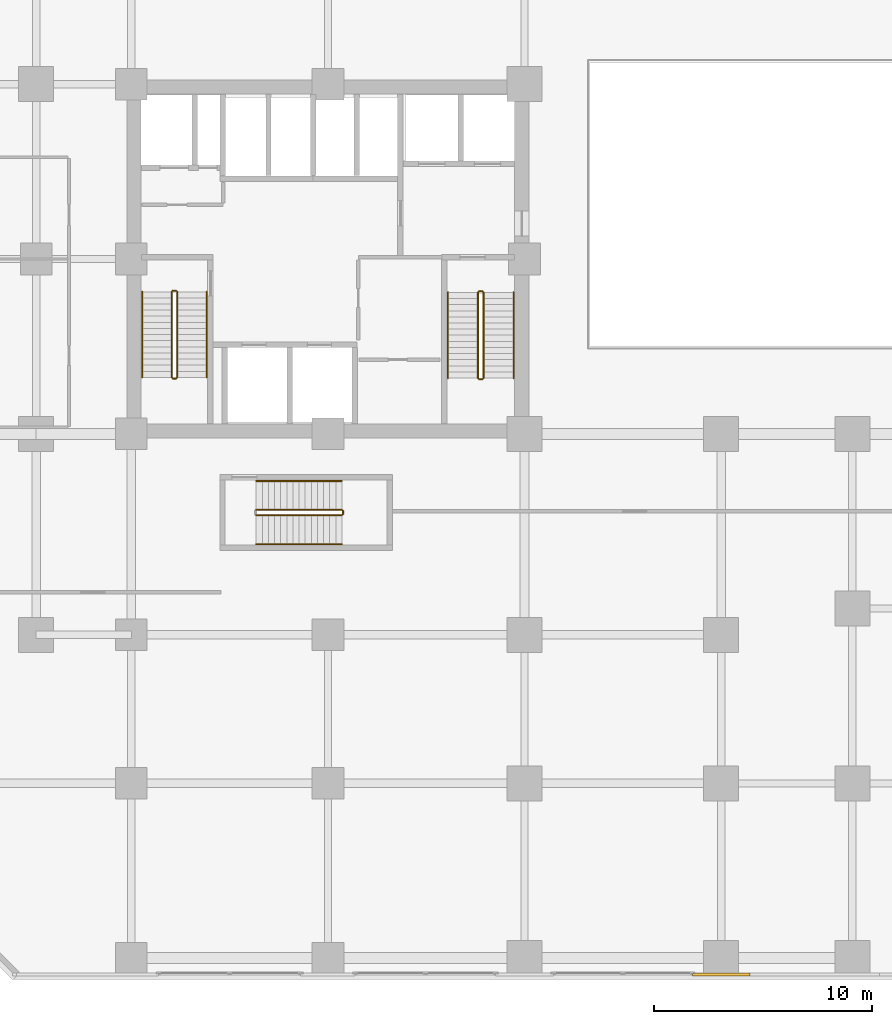
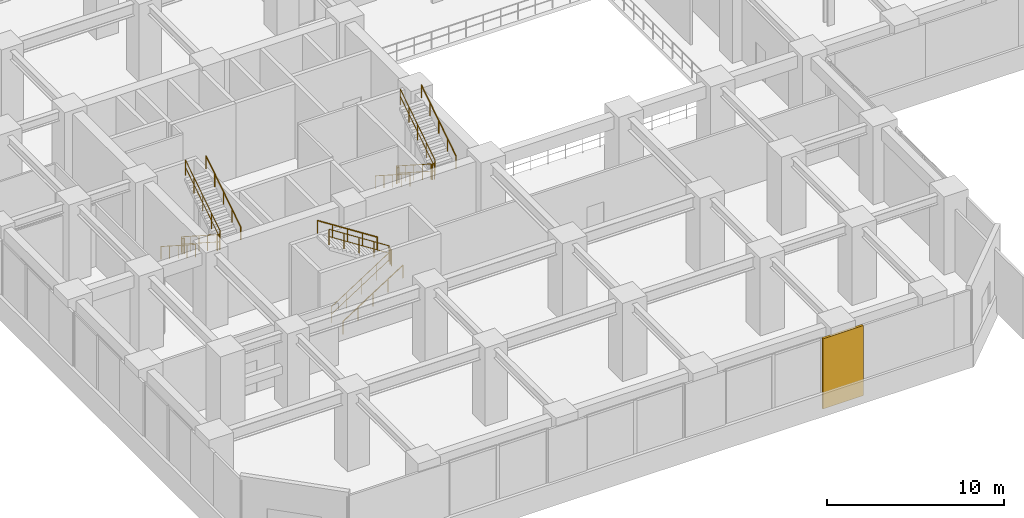
# One storey, part 30 of 33: 17 railings, 1 covering.
"""IFC4 building model written with IfcOpenShell, lengths in metres."""

from ifc_helpers import new_model, si_unit, direction, frame, origin, origin_2d, place, context, subcontext, project, spatial, rectangle, circle, extrude, source, transform, mapped, material, layer, layer_set, type_object, element, save


model = new_model("IFC4")

# Units and contexts
model_context = context("Model", 3, precision=1e-05, world=origin(), true_north=direction((0.0, 1.0)))
body_context = subcontext(model_context, "Body", "Model", "MODEL_VIEW")
ifc_project = project(units=[si_unit("LENGTHUNIT", "METRE"), si_unit("AREAUNIT", "SQUARE_METRE"), si_unit("VOLUMEUNIT", "CUBIC_METRE"), si_unit("PLANEANGLEUNIT", "RADIAN"), si_unit("MASSUNIT", "GRAM", prefix="KILO")], contexts=[model_context])

# Site, building, storey
site_placement = place(None, origin())
site = spatial("IfcSite", under=ifc_project, at=site_placement, CompositionType="ELEMENT")
building_placement = place(site_placement, origin())
building = spatial("IfcBuilding", under=site, at=building_placement, Name="Torre Montelarca", CompositionType="ELEMENT")
storey_placement = place(building_placement, frame((0.0, 0.0, 12.0)))
storey = spatial("IfcBuildingStorey", under=building, at=storey_placement, Name="L03", CompositionType="ELEMENT", Elevation=12.0)

# Railings
ifc_material_1 = material(Name="Powder-coated steel ASTM A500 Grade C", Category="steel")
railing_type_1 = type_object("IfcRailingType", Name="RL-GUARD-1100", PredefinedType="BALUSTRADE", material=ifc_material_1)
railing_1_placement = place(storey_placement, frame((10.85009765625, 30.5, 0.179931640625)))
element("IfcRailing", 1, at=railing_1_placement, inside=storey, type_object=railing_type_1, Name="L03 ST1 stair guard 1", PredefinedType="BALUSTRADE", context=body_context, shape_type="SweptSolid", body=[
    extrude(circle(Radius=0.02392578125, at=origin_2d()), frame((0.0, 0.0, 1.076171875), z_axis=(0.0, -0.841171666519, 0.540768182723), x_axis=(1.0, 0.0, 0.0)), (0.0, 0.0, 1.0), 4.66015625),
    extrude(circle(Radius=0.02099609375, at=origin_2d()), frame((0.0, 0.0, 0.572021484375), z_axis=(0.0, -0.841171666519, 0.540768182723), x_axis=(1.0, 0.0, 0.0)), (0.0, 0.0, 1.0), 4.66015625),
    extrude(circle(Radius=0.02099609375, at=origin_2d()), origin(), (0.0, 0.0, 1.0), 1.052001953125),
    extrude(circle(Radius=0.02099609375, at=origin_2d()), frame((0.0, -0.97998046875, 0.6298828125)), (0.0, 0.0, 1.0), 1.052001953125),
    extrude(circle(Radius=0.02099609375, at=origin_2d()), frame((0.0, -1.9599609375, 1.260009765625)), (0.0, 0.0, 1.0), 1.052001953125),
    extrude(circle(Radius=0.02099609375, at=origin_2d()), frame((0.0, -2.93994140625, 1.89013671875)), (0.0, 0.0, 1.0), 1.052001953125),
    extrude(circle(Radius=0.02099609375, at=origin_2d()), frame((0.0, -3.919921875, 2.52001953125)), (0.0, 0.0, 1.0), 1.052001953125),
])
railing_2_placement = place(storey_placement, frame((10.89990234375, 26.530029296875, 2.699951171875)))
element("IfcRailing", 2, at=railing_2_placement, inside=storey, type_object=railing_type_1, Name="L03 ST1 stair guard 2", PredefinedType="BALUSTRADE", context=body_context, shape_type="SweptSolid", body=[
    extrude(circle(Radius=0.02392578125, at=origin_2d()), frame((0.0, 0.0, 1.076171875), z_axis=(1.0, 0.0, 0.0), x_axis=(0.0, 1.0, 0.0)), (0.0, 0.0, 1.0), 0.150146484375),
    extrude(circle(Radius=0.02099609375, at=origin_2d()), frame((0.0, 0.0, 0.572021484375), z_axis=(1.0, 0.0, 0.0), x_axis=(0.0, 1.0, 0.0)), (0.0, 0.0, 1.0), 0.150146484375),
    extrude(circle(Radius=0.02099609375, at=origin_2d()), origin(), (0.0, 0.0, 1.0), 1.052001953125),
    extrude(circle(Radius=0.02099609375, at=origin_2d()), frame((0.150146484375, 0.0, 0.0)), (0.0, 0.0, 1.0), 1.052001953125),
])
railing_3_placement = place(storey_placement, frame((11.10009765625, 26.580078125, 2.8798828125)))
element("IfcRailing", 3, at=railing_3_placement, inside=storey, type_object=railing_type_1, Name="L03 ST1 stair guard 3", PredefinedType="BALUSTRADE", context=body_context, shape_type="SweptSolid", body=[
    extrude(circle(Radius=0.02392578125, at=origin_2d()), frame((0.0, 0.0, 1.076171875), z_axis=(0.0, 0.841171666519, 0.540768182723), x_axis=(-1.0, 0.0, 0.0)), (0.0, 0.0, 1.0), 4.66015625),
    extrude(circle(Radius=0.02099609375, at=origin_2d()), frame((0.0, 0.0, 0.572021484375), z_axis=(0.0, 0.841171666519, 0.540768182723), x_axis=(-1.0, 0.0, 0.0)), (0.0, 0.0, 1.0), 4.66015625),
    extrude(circle(Radius=0.02099609375, at=origin_2d()), origin(), (0.0, 0.0, 1.0), 1.052001953125),
    extrude(circle(Radius=0.02099609375, at=origin_2d()), frame((0.0, 0.97998046875, 0.6298828125)), (0.0, 0.0, 1.0), 1.052001953125),
    extrude(circle(Radius=0.02099609375, at=origin_2d()), frame((0.0, 1.9599609375, 1.260009765625)), (0.0, 0.0, 1.0), 1.052001953125),
    extrude(circle(Radius=0.02099609375, at=origin_2d()), frame((0.0, 2.93994140625, 1.89013671875)), (0.0, 0.0, 1.0), 1.052001953125),
    extrude(circle(Radius=0.02099609375, at=origin_2d()), frame((0.0, 3.919921875, 2.52001953125)), (0.0, 0.0, 1.0), 1.052001953125),
])
railing_4_placement = place(storey_placement, frame((10.89990234375, 30.550048828125, 0.0)))
element("IfcRailing", 4, at=railing_4_placement, inside=storey, type_object=railing_type_1, Name="L03 ST1 stair guard 4", PredefinedType="BALUSTRADE", context=body_context, shape_type="SweptSolid", body=[
    extrude(circle(Radius=0.02392578125, at=origin_2d()), frame((0.0, 0.0, 1.076171875), z_axis=(1.0, 0.0, 0.0), x_axis=(0.0, 1.0, 0.0)), (0.0, 0.0, 1.0), 0.150146484375),
    extrude(circle(Radius=0.02099609375, at=origin_2d()), frame((0.0, 0.0, 0.572021484375), z_axis=(1.0, 0.0, 0.0), x_axis=(0.0, 1.0, 0.0)), (0.0, 0.0, 1.0), 0.150146484375),
    extrude(circle(Radius=0.02099609375, at=origin_2d()), origin(), (0.0, 0.0, 1.0), 1.052001953125),
    extrude(circle(Radius=0.02099609375, at=origin_2d()), frame((0.150146484375, 0.0, 0.0)), (0.0, 0.0, 1.0), 1.052001953125),
])
railing_5_placement = place(storey_placement, frame((24.8701171875, 30.469970703125, 0.179931640625)))
element("IfcRailing", 5, at=railing_5_placement, inside=storey, type_object=railing_type_1, Name="L03 ST2 stair guard 1", PredefinedType="BALUSTRADE", context=body_context, shape_type="SweptSolid", body=[
    extrude(circle(Radius=0.02392578125, at=origin_2d()), frame((0.0, 0.0, 1.076171875), z_axis=(0.0, -0.841171666519, 0.540768182723), x_axis=(1.0, 0.0, 0.0)), (0.0, 0.0, 1.0), 4.66015625),
    extrude(circle(Radius=0.02099609375, at=origin_2d()), frame((0.0, 0.0, 0.572021484375), z_axis=(0.0, -0.841171666519, 0.540768182723), x_axis=(1.0, 0.0, 0.0)), (0.0, 0.0, 1.0), 4.66015625),
    extrude(circle(Radius=0.02099609375, at=origin_2d()), origin(), (0.0, 0.0, 1.0), 1.052001953125),
    extrude(circle(Radius=0.02099609375, at=origin_2d()), frame((0.0, -0.97998046875, 0.6298828125)), (0.0, 0.0, 1.0), 1.052001953125),
    extrude(circle(Radius=0.02099609375, at=origin_2d()), frame((0.0, -1.9599609375, 1.260009765625)), (0.0, 0.0, 1.0), 1.052001953125),
    extrude(circle(Radius=0.02099609375, at=origin_2d()), frame((0.0, -2.93994140625, 1.89013671875)), (0.0, 0.0, 1.0), 1.052001953125),
    extrude(circle(Radius=0.02099609375, at=origin_2d()), frame((0.0, -3.919921875, 2.52001953125)), (0.0, 0.0, 1.0), 1.052001953125),
])
railing_6_placement = place(storey_placement, frame((24.919921875, 26.5, 2.699951171875)))
element("IfcRailing", 6, at=railing_6_placement, inside=storey, type_object=railing_type_1, Name="L03 ST2 stair guard 2", PredefinedType="BALUSTRADE", context=body_context, shape_type="SweptSolid", body=[
    extrude(circle(Radius=0.02392578125, at=origin_2d()), frame((0.0, 0.0, 1.076171875), z_axis=(1.0, 0.0, 0.0), x_axis=(0.0, 1.0, 0.0)), (0.0, 0.0, 1.0), 0.150146484375),
    extrude(circle(Radius=0.02099609375, at=origin_2d()), frame((0.0, 0.0, 0.572021484375), z_axis=(1.0, 0.0, 0.0), x_axis=(0.0, 1.0, 0.0)), (0.0, 0.0, 1.0), 0.150146484375),
    extrude(circle(Radius=0.02099609375, at=origin_2d()), origin(), (0.0, 0.0, 1.0), 1.052001953125),
    extrude(circle(Radius=0.02099609375, at=origin_2d()), frame((0.150146484375, 0.0, 0.0)), (0.0, 0.0, 1.0), 1.052001953125),
])
railing_7_placement = place(storey_placement, frame((25.1201171875, 26.550048828125, 2.8798828125)))
element("IfcRailing", 7, at=railing_7_placement, inside=storey, type_object=railing_type_1, Name="L03 ST2 stair guard 3", PredefinedType="BALUSTRADE", context=body_context, shape_type="SweptSolid", body=[
    extrude(circle(Radius=0.02392578125, at=origin_2d()), frame((0.0, 0.0, 1.076171875), z_axis=(0.0, 0.841171666519, 0.540768182723), x_axis=(-1.0, 0.0, 0.0)), (0.0, 0.0, 1.0), 4.66015625),
    extrude(circle(Radius=0.02099609375, at=origin_2d()), frame((0.0, 0.0, 0.572021484375), z_axis=(0.0, 0.841171666519, 0.540768182723), x_axis=(-1.0, 0.0, 0.0)), (0.0, 0.0, 1.0), 4.66015625),
    extrude(circle(Radius=0.02099609375, at=origin_2d()), origin(), (0.0, 0.0, 1.0), 1.052001953125),
    extrude(circle(Radius=0.02099609375, at=origin_2d()), frame((0.0, 0.97998046875, 0.6298828125)), (0.0, 0.0, 1.0), 1.052001953125),
    extrude(circle(Radius=0.02099609375, at=origin_2d()), frame((0.0, 1.9599609375, 1.260009765625)), (0.0, 0.0, 1.0), 1.052001953125),
    extrude(circle(Radius=0.02099609375, at=origin_2d()), frame((0.0, 2.93994140625, 1.89013671875)), (0.0, 0.0, 1.0), 1.052001953125),
    extrude(circle(Radius=0.02099609375, at=origin_2d()), frame((0.0, 3.919921875, 2.52001953125)), (0.0, 0.0, 1.0), 1.052001953125),
])
railing_8_placement = place(storey_placement, frame((24.919921875, 30.52001953125, 0.0)))
element("IfcRailing", 8, at=railing_8_placement, inside=storey, type_object=railing_type_1, Name="L03 ST2 stair guard 4", PredefinedType="BALUSTRADE", context=body_context, shape_type="SweptSolid", body=[
    extrude(circle(Radius=0.02392578125, at=origin_2d()), frame((0.0, 0.0, 1.076171875), z_axis=(1.0, 0.0, 0.0), x_axis=(0.0, 1.0, 0.0)), (0.0, 0.0, 1.0), 0.150146484375),
    extrude(circle(Radius=0.02099609375, at=origin_2d()), frame((0.0, 0.0, 0.572021484375), z_axis=(1.0, 0.0, 0.0), x_axis=(0.0, 1.0, 0.0)), (0.0, 0.0, 1.0), 0.150146484375),
    extrude(circle(Radius=0.02099609375, at=origin_2d()), origin(), (0.0, 0.0, 1.0), 1.052001953125),
    extrude(circle(Radius=0.02099609375, at=origin_2d()), frame((0.150146484375, 0.0, 0.0)), (0.0, 0.0, 1.0), 1.052001953125),
])
railing_9_placement = place(storey_placement, frame((14.719970703125, 20.27001953125, 0.179931640625)))
element("IfcRailing", 9, at=railing_9_placement, inside=storey, type_object=railing_type_1, Name="L03 ST3 stair guard 1", PredefinedType="BALUSTRADE", context=body_context, shape_type="SweptSolid", body=[
    extrude(circle(Radius=0.02392578125, at=origin_2d()), frame((0.0, 0.0, 1.076171875), z_axis=(0.841171666519, 0.0, 0.540768182723), x_axis=(0.0, 1.0, 0.0)), (0.0, 0.0, 1.0), 4.66015625),
    extrude(circle(Radius=0.02099609375, at=origin_2d()), frame((0.0, 0.0, 0.572021484375), z_axis=(0.841171666519, 0.0, 0.540768182723), x_axis=(0.0, 1.0, 0.0)), (0.0, 0.0, 1.0), 4.66015625),
    extrude(circle(Radius=0.02099609375, at=origin_2d()), origin(), (0.0, 0.0, 1.0), 1.052001953125),
    extrude(circle(Radius=0.02099609375, at=origin_2d()), frame((0.97998046875, 0.0, 0.6298828125)), (0.0, 0.0, 1.0), 1.052001953125),
    extrude(circle(Radius=0.02099609375, at=origin_2d()), frame((1.9599609375, 0.0, 1.260009765625)), (0.0, 0.0, 1.0), 1.052001953125),
    extrude(circle(Radius=0.02099609375, at=origin_2d()), frame((2.93994140625, 0.0, 1.89013671875)), (0.0, 0.0, 1.0), 1.052001953125),
    extrude(circle(Radius=0.02099609375, at=origin_2d()), frame((3.919921875, 0.0, 2.52001953125)), (0.0, 0.0, 1.0), 1.052001953125),
])
railing_10_placement = place(storey_placement, frame((18.68994140625, 20.320068359375, 2.699951171875)))
element("IfcRailing", 10, at=railing_10_placement, inside=storey, type_object=railing_type_1, Name="L03 ST3 stair guard 2", PredefinedType="BALUSTRADE", context=body_context, shape_type="SweptSolid", body=[
    extrude(circle(Radius=0.02392578125, at=origin_2d()), frame((0.0, 0.0, 1.076171875), z_axis=(0.0, 1.0, 0.0), x_axis=(-1.0, 0.0, 0.0)), (0.0, 0.0, 1.0), 0.14990234375),
    extrude(circle(Radius=0.02099609375, at=origin_2d()), frame((0.0, 0.0, 0.572021484375), z_axis=(0.0, 1.0, 0.0), x_axis=(-1.0, 0.0, 0.0)), (0.0, 0.0, 1.0), 0.14990234375),
    extrude(circle(Radius=0.02099609375, at=origin_2d()), origin(), (0.0, 0.0, 1.0), 1.052001953125),
    extrude(circle(Radius=0.02099609375, at=origin_2d()), frame((0.0, 0.14990234375, 0.0)), (0.0, 0.0, 1.0), 1.052001953125),
])
railing_11_placement = place(storey_placement, frame((18.639892578125, 20.52001953125, 2.8798828125)))
element("IfcRailing", 11, at=railing_11_placement, inside=storey, type_object=railing_type_1, Name="L03 ST3 stair guard 3", PredefinedType="BALUSTRADE", context=body_context, shape_type="SweptSolid", body=[
    extrude(circle(Radius=0.02392578125, at=origin_2d()), frame((0.0, 0.0, 1.076171875), z_axis=(-0.841171666519, 0.0, 0.540768182723), x_axis=(0.0, -1.0, 0.0)), (0.0, 0.0, 1.0), 4.66015625),
    extrude(circle(Radius=0.02099609375, at=origin_2d()), frame((0.0, 0.0, 0.572021484375), z_axis=(-0.841171666519, 0.0, 0.540768182723), x_axis=(0.0, -1.0, 0.0)), (0.0, 0.0, 1.0), 4.66015625),
    extrude(circle(Radius=0.02099609375, at=origin_2d()), origin(), (0.0, 0.0, 1.0), 1.052001953125),
    extrude(circle(Radius=0.02099609375, at=origin_2d()), frame((-0.97998046875, 0.0, 0.6298828125)), (0.0, 0.0, 1.0), 1.052001953125),
    extrude(circle(Radius=0.02099609375, at=origin_2d()), frame((-1.9599609375, 0.0, 1.260009765625)), (0.0, 0.0, 1.0), 1.052001953125),
    extrude(circle(Radius=0.02099609375, at=origin_2d()), frame((-2.93994140625, 0.0, 1.89013671875)), (0.0, 0.0, 1.0), 1.052001953125),
    extrude(circle(Radius=0.02099609375, at=origin_2d()), frame((-3.919921875, 0.0, 2.52001953125)), (0.0, 0.0, 1.0), 1.052001953125),
])
ifc_material_2 = material(Name="Brushed stainless steel AISI 316", Category="steel")
railing_type_2 = type_object("IfcRailingType", Name="RL-HANDRAIL-900", PredefinedType="HANDRAIL", material=ifc_material_2)
railing_12_placement = place(storey_placement, frame((9.5, 30.5, 0.179931640625)))
element("IfcRailing", 12, at=railing_12_placement, inside=storey, type_object=railing_type_2, Name="L03 ST1 stair handrail 1", PredefinedType="HANDRAIL", context=body_context, shape_type="SweptSolid", body=[
    extrude(circle(Radius=0.02392578125, at=origin_2d()), frame((0.0, 0.0, 0.8759765625), z_axis=(0.0, -0.841171666519, 0.540768182723), x_axis=(1.0, 0.0, 0.0)), (0.0, 0.0, 1.0), 4.66015625),
    extrude(circle(Radius=0.02099609375, at=origin_2d()), origin(), (0.0, 0.0, 1.0), 0.851806640625),
    extrude(circle(Radius=0.02099609375, at=origin_2d()), frame((0.0, -0.97998046875, 0.6298828125)), (0.0, 0.0, 1.0), 0.851806640625),
    extrude(circle(Radius=0.02099609375, at=origin_2d()), frame((0.0, -1.9599609375, 1.260009765625)), (0.0, 0.0, 1.0), 0.851806640625),
    extrude(circle(Radius=0.02099609375, at=origin_2d()), frame((0.0, -2.93994140625, 1.89013671875)), (0.0, 0.0, 1.0), 0.851806640625),
    extrude(circle(Radius=0.02099609375, at=origin_2d()), frame((0.0, -3.919921875, 2.52001953125)), (0.0, 0.0, 1.0), 0.851806640625),
])
railing_13_placement = place(storey_placement, frame((12.449951171875, 26.580078125, 2.8798828125)))
element("IfcRailing", 13, at=railing_13_placement, inside=storey, type_object=railing_type_2, Name="L03 ST1 stair handrail 2", PredefinedType="HANDRAIL", context=body_context, shape_type="SweptSolid", body=[
    extrude(circle(Radius=0.02392578125, at=origin_2d()), frame((0.0, 0.0, 0.8759765625), z_axis=(0.0, 0.841171666519, 0.540768182723), x_axis=(-1.0, 0.0, 0.0)), (0.0, 0.0, 1.0), 4.66015625),
    extrude(circle(Radius=0.02099609375, at=origin_2d()), origin(), (0.0, 0.0, 1.0), 0.851806640625),
    extrude(circle(Radius=0.02099609375, at=origin_2d()), frame((0.0, 0.97998046875, 0.6298828125)), (0.0, 0.0, 1.0), 0.851806640625),
    extrude(circle(Radius=0.02099609375, at=origin_2d()), frame((0.0, 1.9599609375, 1.260009765625)), (0.0, 0.0, 1.0), 0.851806640625),
    extrude(circle(Radius=0.02099609375, at=origin_2d()), frame((0.0, 2.93994140625, 1.89013671875)), (0.0, 0.0, 1.0), 0.851806640625),
    extrude(circle(Radius=0.02099609375, at=origin_2d()), frame((0.0, 3.919921875, 2.52001953125)), (0.0, 0.0, 1.0), 0.851806640625),
])
railing_14_placement = place(storey_placement, frame((23.489990234375, 30.469970703125, 0.179931640625)))
element("IfcRailing", 14, at=railing_14_placement, inside=storey, type_object=railing_type_2, Name="L03 ST2 stair handrail 1", PredefinedType="HANDRAIL", context=body_context, shape_type="SweptSolid", body=[
    extrude(circle(Radius=0.02392578125, at=origin_2d()), frame((0.0, 0.0, 0.8759765625), z_axis=(0.0, -0.841171666519, 0.540768182723), x_axis=(1.0, 0.0, 0.0)), (0.0, 0.0, 1.0), 4.66015625),
    extrude(circle(Radius=0.02099609375, at=origin_2d()), origin(), (0.0, 0.0, 1.0), 0.851806640625),
    extrude(circle(Radius=0.02099609375, at=origin_2d()), frame((0.0, -0.97998046875, 0.6298828125)), (0.0, 0.0, 1.0), 0.851806640625),
    extrude(circle(Radius=0.02099609375, at=origin_2d()), frame((0.0, -1.9599609375, 1.260009765625)), (0.0, 0.0, 1.0), 0.851806640625),
    extrude(circle(Radius=0.02099609375, at=origin_2d()), frame((0.0, -2.93994140625, 1.89013671875)), (0.0, 0.0, 1.0), 0.851806640625),
    extrude(circle(Radius=0.02099609375, at=origin_2d()), frame((0.0, -3.919921875, 2.52001953125)), (0.0, 0.0, 1.0), 0.851806640625),
])
railing_15_placement = place(storey_placement, frame((26.5, 26.550048828125, 2.8798828125)))
element("IfcRailing", 15, at=railing_15_placement, inside=storey, type_object=railing_type_2, Name="L03 ST2 stair handrail 2", PredefinedType="HANDRAIL", context=body_context, shape_type="SweptSolid", body=[
    extrude(circle(Radius=0.02392578125, at=origin_2d()), frame((0.0, 0.0, 0.8759765625), z_axis=(0.0, 0.841171666519, 0.540768182723), x_axis=(-1.0, 0.0, 0.0)), (0.0, 0.0, 1.0), 4.66015625),
    extrude(circle(Radius=0.02099609375, at=origin_2d()), origin(), (0.0, 0.0, 1.0), 0.851806640625),
    extrude(circle(Radius=0.02099609375, at=origin_2d()), frame((0.0, 0.97998046875, 0.6298828125)), (0.0, 0.0, 1.0), 0.851806640625),
    extrude(circle(Radius=0.02099609375, at=origin_2d()), frame((0.0, 1.9599609375, 1.260009765625)), (0.0, 0.0, 1.0), 0.851806640625),
    extrude(circle(Radius=0.02099609375, at=origin_2d()), frame((0.0, 2.93994140625, 1.89013671875)), (0.0, 0.0, 1.0), 0.851806640625),
    extrude(circle(Radius=0.02099609375, at=origin_2d()), frame((0.0, 3.919921875, 2.52001953125)), (0.0, 0.0, 1.0), 0.851806640625),
])
railing_16_placement = place(storey_placement, frame((14.719970703125, 18.949951171875, 0.179931640625)))
element("IfcRailing", 16, at=railing_16_placement, inside=storey, type_object=railing_type_2, Name="L03 ST3 stair handrail 1", PredefinedType="HANDRAIL", context=body_context, shape_type="SweptSolid", body=[
    extrude(circle(Radius=0.02392578125, at=origin_2d()), frame((0.0, 0.0, 0.8759765625), z_axis=(0.841171666519, 0.0, 0.540768182723), x_axis=(0.0, 1.0, 0.0)), (0.0, 0.0, 1.0), 4.66015625),
    extrude(circle(Radius=0.02099609375, at=origin_2d()), origin(), (0.0, 0.0, 1.0), 0.851806640625),
    extrude(circle(Radius=0.02099609375, at=origin_2d()), frame((0.97998046875, 0.0, 0.6298828125)), (0.0, 0.0, 1.0), 0.851806640625),
    extrude(circle(Radius=0.02099609375, at=origin_2d()), frame((1.9599609375, 0.0, 1.260009765625)), (0.0, 0.0, 1.0), 0.851806640625),
    extrude(circle(Radius=0.02099609375, at=origin_2d()), frame((2.93994140625, 0.0, 1.89013671875)), (0.0, 0.0, 1.0), 0.851806640625),
    extrude(circle(Radius=0.02099609375, at=origin_2d()), frame((3.919921875, 0.0, 2.52001953125)), (0.0, 0.0, 1.0), 0.851806640625),
])
railing_17_placement = place(storey_placement, frame((18.639892578125, 21.840087890625, 2.8798828125)))
element("IfcRailing", 17, at=railing_17_placement, inside=storey, type_object=railing_type_2, Name="L03 ST3 stair handrail 2", PredefinedType="HANDRAIL", context=body_context, shape_type="SweptSolid", body=[
    extrude(circle(Radius=0.02392578125, at=origin_2d()), frame((0.0, 0.0, 0.8759765625), z_axis=(-0.841171666519, 0.0, 0.540768182723), x_axis=(0.0, -1.0, 0.0)), (0.0, 0.0, 1.0), 4.66015625),
    extrude(circle(Radius=0.02099609375, at=origin_2d()), origin(), (0.0, 0.0, 1.0), 0.851806640625),
    extrude(circle(Radius=0.02099609375, at=origin_2d()), frame((-0.97998046875, 0.0, 0.6298828125)), (0.0, 0.0, 1.0), 0.851806640625),
    extrude(circle(Radius=0.02099609375, at=origin_2d()), frame((-1.9599609375, 0.0, 1.260009765625)), (0.0, 0.0, 1.0), 0.851806640625),
    extrude(circle(Radius=0.02099609375, at=origin_2d()), frame((-2.93994140625, 0.0, 1.89013671875)), (0.0, 0.0, 1.0), 0.851806640625),
    extrude(circle(Radius=0.02099609375, at=origin_2d()), frame((-3.919921875, 0.0, 2.52001953125)), (0.0, 0.0, 1.0), 0.851806640625),
])

# Covering
ifc_material_3 = material(Name="Bush-hammered warm white precast concrete C45/55", Category="concrete")
ifc_layer = layer(ifc_material_3, 0.139892578125, Name="Bush-hammered warm white precast concrete C45/55", Category="concrete")
ifc_layer_set = layer_set([ifc_layer], Name="Bush-hammered warm white precast concrete C45/55")
covering_type = type_object("IfcCoveringType", Name="COV-TRAY-CLAD", PredefinedType="CLADDING", material=ifc_layer_set)
shared_shape = source(origin(), body_context, "Body", "SweptSolid", [
    extrude(rectangle(XDim=2.639892578125, YDim=0.139892578125, at=origin_2d()), origin(), (0.0, 0.0, 1.0), 4.85009765625),
])
covering_placement = place(storey_placement, frame((36.0, -0.739990234375, 0.0), z_axis=(0.0, 0.0, 1.0), x_axis=(1.0, 0.0, 0.0)))
element("IfcCovering", 18, at=covering_placement, inside=storey, type_object=covering_type, Name="L03 Architectural Column Pier Cladding E01-5", PredefinedType="CLADDING", context=body_context, shape_type="MappedRepresentation", body=[
    mapped(shared_shape, transform((0.0, 0.0, 0.0), scale=1.0)),
])

save(model, "model.ifc")
